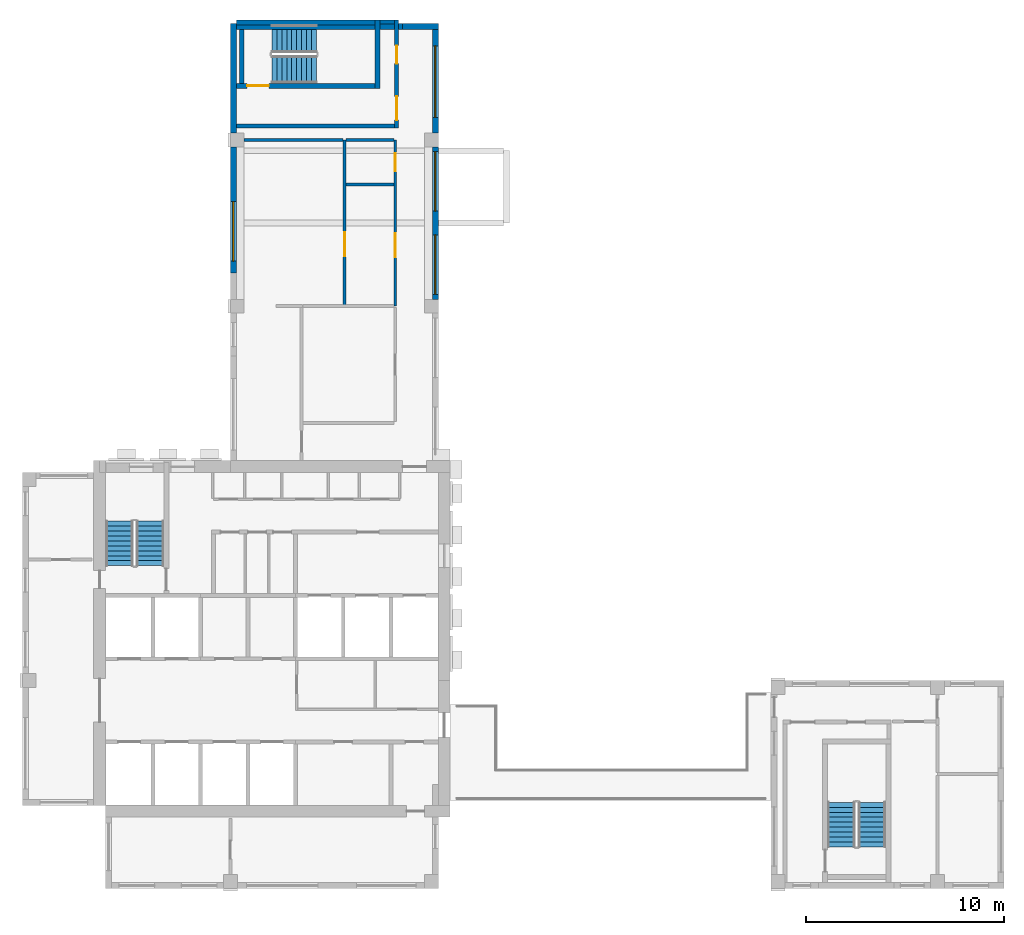
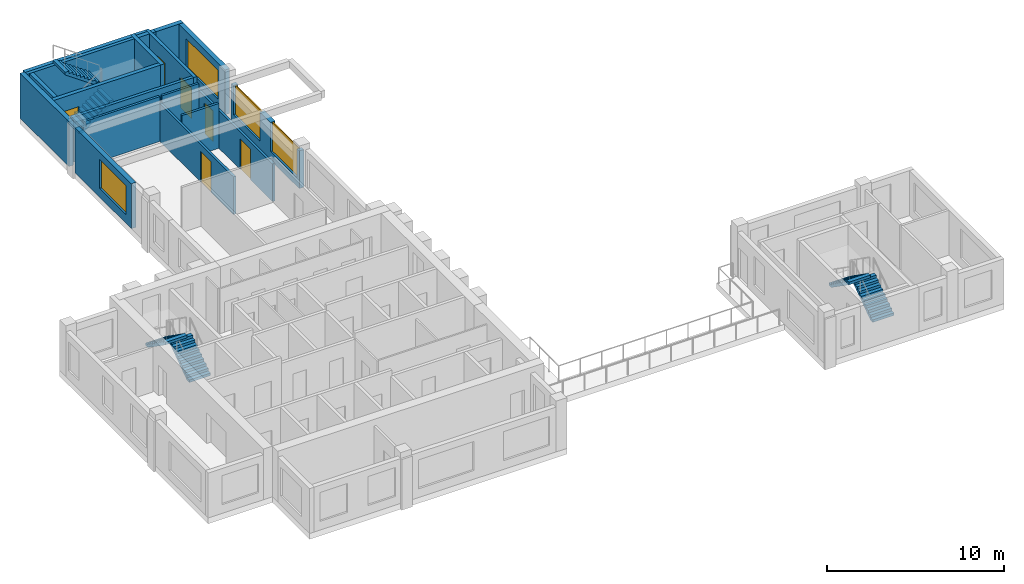
# One storey, part 5 of 9: 18 walls, 6 doors, 6 stair flights, 4 windows, 10 openings, 3 elements without a shape of their own.
"""IFC4 building model written with IfcOpenShell, lengths in metres."""

from ifc_helpers import new_model, si_unit, direction, frame, frame_2d, origin, place, context, subcontext, project, spatial, polyline, rectangle, outline, extrude, source, transform, mapped, material, layer, layer_set, type_object, element, fill, aggregate, save


model = new_model("IFC4")

# Units and contexts
model_context = context("Model", 3, precision=1e-05, world=origin(), true_north=direction((0.0, 1.0)))
body_context = subcontext(model_context, "Body", "Model", "MODEL_VIEW")
ifc_project = project(units=[si_unit("LENGTHUNIT", "METRE"), si_unit("AREAUNIT", "SQUARE_METRE"), si_unit("VOLUMEUNIT", "CUBIC_METRE"), si_unit("PLANEANGLEUNIT", "RADIAN"), si_unit("MASSUNIT", "GRAM", prefix="KILO")], contexts=[model_context])

# Site, building, storey
site_placement = place(None, origin())
site = spatial("IfcSite", under=ifc_project, at=site_placement, CompositionType="ELEMENT")
building_placement = place(site_placement, origin())
building = spatial("IfcBuilding", under=site, at=building_placement, Name="Aurelian Terraces", CompositionType="ELEMENT")
storey_placement = place(building_placement, frame((0.0, 0.0, 295.0)))
storey = spatial("IfcBuildingStorey", under=building, at=storey_placement, Name="L67", CompositionType="ELEMENT", Elevation=295.0)

# Wall
ifc_material_1 = material(Name="Gypsum board on steel studs", Category="steel")
ifc_layer_1 = layer(ifc_material_1, 0.15)
ifc_layer_set_1 = layer_set([ifc_layer_1], Name="Partition 150")
wall_type_1 = type_object("IfcWallType", Name="Partition 150", PredefinedType="PARTITIONING", material=ifc_layer_set_1)
wall_1_placement = place(storey_placement, frame((18.75, 35.5483, 0.0), z_axis=(0.0, 0.0, 1.0), x_axis=(-1.0, 0.0, 0.0)))
element("IfcWall", 1, at=wall_1_placement, inside=storey, type_object=wall_type_1, Name="Partition", PredefinedType="PARTITIONING", context=body_context, shape_type="SweptSolid", body=[
    extrude(rectangle(XDim=2.4, YDim=0.15, at=frame_2d((1.2, 0.0))), origin(), (0.0, 0.0, 1.0), 3.1),
])

# Wall, opening, window
ifc_material_2 = material(Name="Terracotta rainscreen cladding", Category="masonry")
ifc_layer_2 = layer(ifc_material_2, 0.3)
ifc_layer_set_2 = layer_set([ifc_layer_2], Name="EW-300")
wall_type_2 = type_object("IfcWallType", Name="EW-300", PredefinedType="STANDARD", material=ifc_layer_set_2)
shared_shape_1 = source(origin(), body_context, "Body", "SweptSolid", [
    extrude(rectangle(XDim=5.53, YDim=0.3, at=frame_2d((2.765, 0.0))), origin(), (0.0, 0.0, 1.0), 3.1),
])
wall_2_placement = place(storey_placement, frame((20.85, 38.15, 0.0), z_axis=(0.0, 0.0, 1.0), x_axis=(0.0, 1.0, 0.0)))
wall_2 = element("IfcWall", 2, at=wall_2_placement, inside=storey, type_object=wall_type_2, Name="External wall L67 F02.8", PredefinedType="STANDARD", context=body_context, shape_type="MappedRepresentation", body=[
    mapped(shared_shape_1, transform((0.0, 0.0, 0.0), scale=1.0)),
])
shared_shape_2 = source(origin(), body_context, "Body", "SweptSolid", [
    extrude(rectangle(XDim=3.6, YDim=2.0, at=frame_2d((1.8, 1.0))), frame((0.0, 0.16, 0.0), z_axis=(0.0, -1.0, 0.0), x_axis=(1.0, 0.0, 0.0)), (0.0, 0.0, 1.0), 0.32),
])
opening_1_placement = place(wall_2_placement, frame((0.79, 0.0, 0.6)))
opening_1 = element("IfcOpeningElement", 3, at=opening_1_placement, cuts=wall_2, Name="Opening W3620", PredefinedType="OPENING", context=body_context, shape_type="MappedRepresentation", body=[
    mapped(shared_shape_2, transform((0.0, 0.0, 0.0), scale=1.0)),
])
ifc_material_3 = material(Name="Clear glazing", Category="glass")
window_type_1 = type_object("IfcWindowType", Name="W-3600x2000", PartitioningType="SINGLE_PANEL", PredefinedType="WINDOW", material=ifc_material_3)
shared_shape_3 = source(origin(), body_context, "Body", "SweptSolid", [
    extrude(rectangle(XDim=3.6, YDim=2.0, at=frame_2d((1.8, 1.0))), frame((0.0, 0.03, 0.0), z_axis=(0.0, -1.0, 0.0), x_axis=(1.0, 0.0, 0.0)), (0.0, 0.0, 1.0), 0.06),
])
window_1_placement = place(opening_1_placement, origin())
window_1 = element("IfcWindow", 4, at=window_1_placement, inside=storey, type_object=window_type_1, Name="Window L67 L67-F02-08-0", OverallHeight=2.0, OverallWidth=3.6, PartitioningType="SINGLE_PANEL", PredefinedType="WINDOW", context=body_context, shape_type="MappedRepresentation", body=[
    mapped(shared_shape_3, transform((0.0, 0.0, 0.0), scale=1.0)),
])
fill(opening_1, window_1)

# Walls
shared_shape_4 = source(origin(), body_context, "Body", "SweptSolid", [
    extrude(rectangle(XDim=1.8, YDim=0.3, at=frame_2d((0.9, 0.0))), origin(), (0.0, 0.0, 1.0), 3.1),
])
wall_3_placement = place(storey_placement, frame((21.0, 43.53, 0.0), z_axis=(0.0, 0.0, 1.0), x_axis=(-1.0, 0.0, 0.0)))
element("IfcWall", 5, at=wall_3_placement, inside=storey, type_object=wall_type_2, Name="External wall L67 F03.9", PredefinedType="STANDARD", context=body_context, shape_type="MappedRepresentation", body=[
    mapped(shared_shape_4, transform((0.0, 0.0, 0.0), scale=1.0)),
])
ifc_material_4 = material(Name="Concrete fc' 40 MPa", Category="concrete")
ifc_layer_3 = layer(ifc_material_4, 0.3)
ifc_layer_set_3 = layer_set([ifc_layer_3], Name="STAIR BAY WALL 300")
wall_type_3 = type_object("IfcWallType", Name="STAIR BAY WALL 300", PredefinedType="SOLIDWALL", material=ifc_layer_set_3)
shared_shape_5 = source(origin(), body_context, "Body", "SweptSolid", [
    extrude(rectangle(XDim=8.6, YDim=0.3, at=frame_2d((4.3, 0.0))), origin(), (0.0, 0.0, 1.0), 3.1),
])
wall_4_placement = place(storey_placement, frame((19.2, 43.53, 0.0), z_axis=(0.0, 0.0, 1.0), x_axis=(-1.0, 0.0, 0.0)))
element("IfcWall", 6, at=wall_4_placement, inside=storey, type_object=wall_type_3, Name="Stair bay wall L67 F03.9", PredefinedType="SOLIDWALL", context=body_context, shape_type="MappedRepresentation", body=[
    mapped(shared_shape_5, transform((0.0, 0.0, 0.0), scale=1.0)),
])
shared_shape_6 = source(origin(), body_context, "Body", "SweptSolid", [
    extrude(rectangle(XDim=5.53, YDim=0.3, at=frame_2d((2.765, 0.0))), origin(), (0.0, 0.0, 1.0), 3.1),
])
wall_5_placement = place(storey_placement, frame((10.65, 43.68, 0.0), z_axis=(0.0, 0.0, 1.0), x_axis=(0.0, -1.0, 0.0)))
element("IfcWall", 7, at=wall_5_placement, inside=storey, type_object=wall_type_3, Name="Stair bay wall L67 F04.10", PredefinedType="SOLIDWALL", context=body_context, shape_type="MappedRepresentation", body=[
    mapped(shared_shape_6, transform((0.0, 0.0, 0.0), scale=1.0)),
])

# Wall, opening, window
shared_shape_7 = source(origin(), body_context, "Body", "SweptSolid", [
    extrude(rectangle(XDim=6.37, YDim=0.3, at=frame_2d((3.185, 0.0))), origin(), (0.0, 0.0, 1.0), 3.1),
])
wall_6_placement = place(storey_placement, frame((10.65, 37.45, 0.0), z_axis=(0.0, 0.0, 1.0), x_axis=(0.0, -1.0, 0.0)))
wall_6 = element("IfcWall", 8, at=wall_6_placement, inside=storey, type_object=wall_type_2, Name="External wall L67 F04.10", PredefinedType="STANDARD", context=body_context, shape_type="MappedRepresentation", body=[
    mapped(shared_shape_7, transform((0.0, 0.0, 0.0), scale=1.0)),
])
shared_shape_8 = source(origin(), body_context, "Body", "SweptSolid", [
    extrude(rectangle(XDim=3.0, YDim=2.0, at=frame_2d((1.5, 1.0))), frame((0.0, 0.16, 0.0), z_axis=(0.0, -1.0, 0.0), x_axis=(1.0, 0.0, 0.0)), (0.0, 0.0, 1.0), 0.32),
])
opening_2_placement = place(wall_6_placement, frame((2.77, 0.0, 0.6)))
opening_2 = element("IfcOpeningElement", 9, at=opening_2_placement, cuts=wall_6, Name="Opening W3020", PredefinedType="OPENING", context=body_context, shape_type="MappedRepresentation", body=[
    mapped(shared_shape_8, transform((0.0, 0.0, 0.0), scale=1.0)),
])
window_type_2 = type_object("IfcWindowType", Name="W-3000x2000", PartitioningType="SINGLE_PANEL", PredefinedType="WINDOW", material=ifc_material_3)
shared_shape_9 = source(origin(), body_context, "Body", "SweptSolid", [
    extrude(rectangle(XDim=3.0, YDim=2.0, at=frame_2d((1.5, 1.0))), frame((0.0, 0.03, 0.0), z_axis=(0.0, -1.0, 0.0), x_axis=(1.0, 0.0, 0.0)), (0.0, 0.0, 1.0), 0.06),
])
window_2_placement = place(opening_2_placement, origin())
window_2 = element("IfcWindow", 10, at=window_2_placement, inside=storey, type_object=window_type_2, Name="Window L67 L67-F04-10-2", OverallHeight=2.0, OverallWidth=3.0, PartitioningType="SINGLE_PANEL", PredefinedType="WINDOW", context=body_context, shape_type="MappedRepresentation", body=[
    mapped(shared_shape_9, transform((0.0, 0.0, 0.0), scale=1.0)),
])
fill(opening_2, window_2)

# Wall, openings, windows
shared_shape_10 = source(origin(), body_context, "Body", "SweptSolid", [
    extrude(rectangle(XDim=7.7, YDim=0.3, at=frame_2d((3.85, 0.0))), origin(), (0.0, 0.0, 1.0), 2.6),
])
wall_7_placement = place(storey_placement, frame((20.85, 29.75, 0.0), z_axis=(0.0, 0.0, 1.0), x_axis=(0.0, 1.0, 0.0)))
wall_7 = element("IfcWall", 11, at=wall_7_placement, inside=storey, type_object=wall_type_2, Name="External wall L67 F02.7", PredefinedType="STANDARD", context=body_context, shape_type="MappedRepresentation", body=[
    mapped(shared_shape_10, transform((0.0, 0.0, 0.0), scale=1.0)),
])
opening_3_placement = place(wall_7_placement, frame((0.25, 0.0, 0.6)))
opening_3 = element("IfcOpeningElement", 12, at=opening_3_placement, cuts=wall_7, Name="Opening W3020", PredefinedType="OPENING", context=body_context, shape_type="MappedRepresentation", body=[
    mapped(shared_shape_8, transform((0.0, 0.0, 0.0), scale=1.0)),
])
opening_4_placement = place(wall_7_placement, frame((4.45, 0.0, 0.6)))
opening_4 = element("IfcOpeningElement", 13, at=opening_4_placement, cuts=wall_7, Name="Opening W3020", PredefinedType="OPENING", context=body_context, shape_type="MappedRepresentation", body=[
    mapped(shared_shape_8, transform((0.0, 0.0, 0.0), scale=1.0)),
])
window_3_placement = place(opening_3_placement, origin())
window_3 = element("IfcWindow", 14, at=window_3_placement, inside=storey, type_object=window_type_2, Name="Window L67 L67-F02-07-0", OverallHeight=2.0, OverallWidth=3.0, PartitioningType="SINGLE_PANEL", PredefinedType="WINDOW", context=body_context, shape_type="MappedRepresentation", body=[
    mapped(shared_shape_9, transform((0.0, 0.0, 0.0), scale=1.0)),
])
fill(opening_3, window_3)
window_4_placement = place(opening_4_placement, origin())
window_4 = element("IfcWindow", 15, at=window_4_placement, inside=storey, type_object=window_type_2, Name="Window L67 L67-F02-07-1", OverallHeight=2.0, OverallWidth=3.0, PartitioningType="SINGLE_PANEL", PredefinedType="WINDOW", context=body_context, shape_type="MappedRepresentation", body=[
    mapped(shared_shape_9, transform((0.0, 0.0, 0.0), scale=1.0)),
])
fill(opening_4, window_4)

# Wall, opening, door
ifc_layer_4 = layer(ifc_material_4, 0.25)
ifc_layer_set_4 = layer_set([ifc_layer_4], Name="Stair enclosure wall 250")
wall_type_4 = type_object("IfcWallType", Name="Stair enclosure wall 250", PredefinedType="SOLIDWALL", material=ifc_layer_set_4)
shared_shape_11 = source(origin(), body_context, "Body", "SweptSolid", [
    extrude(rectangle(XDim=7.0, YDim=0.25, at=frame_2d((3.5, 0.0))), origin(), (0.0, 0.0, 1.0), 3.1),
])
wall_8_placement = place(storey_placement, frame((10.8, 40.525, 0.0), z_axis=(0.0, 0.0, 1.0), x_axis=(1.0, 0.0, 0.0)))
wall_8 = element("IfcWall", 16, at=wall_8_placement, inside=storey, type_object=wall_type_4, Name="L67 core wall ST-S3U-W", PredefinedType="SOLIDWALL", context=body_context, shape_type="MappedRepresentation", body=[
    mapped(shared_shape_11, transform((0.0, 0.0, 0.0), scale=1.0)),
])
shared_shape_12 = source(origin(), body_context, "Body", "SweptSolid", [
    extrude(rectangle(XDim=1.1, YDim=2.1, at=frame_2d((0.55, 1.05))), frame((0.0, 0.135, 0.0), z_axis=(0.0, -1.0, 0.0), x_axis=(1.0, 0.0, 0.0)), (0.0, 0.0, 1.0), 0.27),
])
opening_5_placement = place(wall_8_placement, frame((0.55, 0.0, 0.0)))
opening_5 = element("IfcOpeningElement", 17, at=opening_5_placement, cuts=wall_8, Name="Opening 67028", PredefinedType="OPENING", context=body_context, shape_type="MappedRepresentation", body=[
    mapped(shared_shape_12, transform((0.0, 0.0, 0.0), scale=1.0)),
])
ifc_material_5 = material(Name="Steel door leaf", Category="steel")
door_type_1 = type_object("IfcDoorType", Name="Core fire door 1100x2100", OperationType="SINGLE_SWING_LEFT", PredefinedType="DOOR", material=ifc_material_5)
shared_shape_13 = source(origin(), body_context, "Body", "SweptSolid", [
    extrude(rectangle(XDim=1.1, YDim=2.1, at=frame_2d((0.55, 1.05))), frame((0.0, 0.025, 0.0), z_axis=(0.0, -1.0, 0.0), x_axis=(1.0, 0.0, 0.0)), (0.0, 0.0, 1.0), 0.05),
])
door_1_placement = place(opening_5_placement, origin())
door_1 = element("IfcDoor", 18, at=door_1_placement, inside=storey, type_object=door_type_1, Name="Stair door 67028", OperationType="SINGLE_SWING_LEFT", OverallHeight=2.1, OverallWidth=1.1, PredefinedType="DOOR", context=body_context, shape_type="MappedRepresentation", body=[
    mapped(shared_shape_13, transform((0.0, 0.0, 0.0), scale=1.0)),
])
fill(opening_5, door_1)

# Walls
wall_9_placement = place(storey_placement, frame((10.8, 43.725, 0.0), z_axis=(0.0, 0.0, 1.0), x_axis=(1.0, 0.0, 0.0)))
element("IfcWall", 19, at=wall_9_placement, inside=storey, type_object=wall_type_4, Name="L67 core wall ST-S3U-E", PredefinedType="SOLIDWALL", context=body_context, shape_type="MappedRepresentation", body=[
    mapped(shared_shape_11, transform((0.0, 0.0, 0.0), scale=1.0)),
])
shared_shape_14 = source(origin(), body_context, "Body", "SweptSolid", [
    extrude(rectangle(XDim=3.45, YDim=0.25, at=frame_2d((1.725, 0.0))), origin(), (0.0, 0.0, 1.0), 3.1),
])
wall_10_placement = place(storey_placement, frame((17.925, 40.4, 0.0), z_axis=(0.0, 0.0, 1.0), x_axis=(0.0, 1.0, 0.0)))
element("IfcWall", 20, at=wall_10_placement, inside=storey, type_object=wall_type_4, Name="L67 core wall ST-S3U-N", PredefinedType="SOLIDWALL", context=body_context, shape_type="MappedRepresentation", body=[
    mapped(shared_shape_14, transform((0.0, 0.0, 0.0), scale=1.0)),
])
ifc_layer_5 = layer(ifc_material_1, 0.2)
ifc_layer_set_5 = layer_set([ifc_layer_5], Name="Core partition 200")
wall_type_5 = type_object("IfcWallType", Name="Core partition 200", PredefinedType="PARTITIONING", material=ifc_layer_set_5)
shared_shape_15 = source(origin(), body_context, "Body", "SweptSolid", [
    extrude(rectangle(XDim=8.0, YDim=0.2, at=frame_2d((4.0, 0.0))), origin(), (0.0, 0.0, 1.0), 3.1),
])
wall_11_placement = place(storey_placement, frame((10.8, 38.5, 0.0), z_axis=(0.0, 0.0, 1.0), x_axis=(1.0, 0.0, 0.0)))
element("IfcWall", 21, at=wall_11_placement, inside=storey, type_object=wall_type_5, Name="L67 core wall ST-S3U-VW", PredefinedType="PARTITIONING", context=body_context, shape_type="MappedRepresentation", body=[
    mapped(shared_shape_15, transform((0.0, 0.0, 0.0), scale=1.0)),
])

# Wall, openings, doors
shared_shape_16 = source(origin(), body_context, "Body", "SweptSolid", [
    extrude(rectangle(XDim=5.45, YDim=0.2, at=frame_2d((2.725, 0.0))), origin(), (0.0, 0.0, 1.0), 3.1),
])
wall_12_placement = place(storey_placement, frame((18.9, 38.4, 0.0), z_axis=(0.0, 0.0, 1.0), x_axis=(0.0, 1.0, 0.0)))
wall_12 = element("IfcWall", 22, at=wall_12_placement, inside=storey, type_object=wall_type_5, Name="L67 core wall ST-S3U-BN", PredefinedType="PARTITIONING", context=body_context, shape_type="MappedRepresentation", body=[
    mapped(shared_shape_16, transform((0.0, 0.0, 0.0), scale=1.0)),
])
shared_shape_17 = source(origin(), body_context, "Body", "SweptSolid", [
    extrude(rectangle(XDim=1.2, YDim=2.1, at=frame_2d((0.6, 1.05))), frame((0.0, 0.11, 0.0), z_axis=(0.0, -1.0, 0.0), x_axis=(1.0, 0.0, 0.0)), (0.0, 0.0, 1.0), 0.22),
])
opening_6_placement = place(wall_12_placement, frame((0.4, 0.0, 0.0)))
opening_6 = element("IfcOpeningElement", 23, at=opening_6_placement, cuts=wall_12, Name="Opening 67029", PredefinedType="OPENING", context=body_context, shape_type="MappedRepresentation", body=[
    mapped(shared_shape_17, transform((0.0, 0.0, 0.0), scale=1.0)),
])
shared_shape_18 = source(origin(), body_context, "Body", "SweptSolid", [
    extrude(rectangle(XDim=0.9, YDim=2.1, at=frame_2d((0.45, 1.05))), frame((0.0, 0.11, 0.0), z_axis=(0.0, -1.0, 0.0), x_axis=(1.0, 0.0, 0.0)), (0.0, 0.0, 1.0), 0.22),
])
opening_7_placement = place(wall_12_placement, frame((3.25, 0.0, 0.0)))
opening_7 = element("IfcOpeningElement", 24, at=opening_7_placement, cuts=wall_12, Name="Opening 67030", PredefinedType="OPENING", context=body_context, shape_type="MappedRepresentation", body=[
    mapped(shared_shape_18, transform((0.0, 0.0, 0.0), scale=1.0)),
])
door_type_2 = type_object("IfcDoorType", Name="Core riser door 900x2100", OperationType="SINGLE_SWING_LEFT", PredefinedType="DOOR", material=ifc_material_5)
shared_shape_19 = source(origin(), body_context, "Body", "SweptSolid", [
    extrude(rectangle(XDim=0.9, YDim=2.1, at=frame_2d((0.45, 1.05))), frame((0.0, 0.025, 0.0), z_axis=(0.0, -1.0, 0.0), x_axis=(1.0, 0.0, 0.0)), (0.0, 0.0, 1.0), 0.05),
])
door_2_placement = place(opening_7_placement, origin())
door_2 = element("IfcDoor", 25, at=door_2_placement, inside=storey, type_object=door_type_2, Name="Riser door 67030", OperationType="SINGLE_SWING_LEFT", OverallHeight=2.1, OverallWidth=0.9, PredefinedType="DOOR", context=body_context, shape_type="MappedRepresentation", body=[
    mapped(shared_shape_19, transform((0.0, 0.0, 0.0), scale=1.0)),
])
fill(opening_7, door_2)
door_type_3 = type_object("IfcDoorType", Name="Core fire door 1200x2100 right", OperationType="SINGLE_SWING_RIGHT", PredefinedType="DOOR", material=ifc_material_5)
shared_shape_20 = source(origin(), body_context, "Body", "SweptSolid", [
    extrude(rectangle(XDim=1.2, YDim=2.1, at=frame_2d((0.6, 1.05))), frame((0.0, 0.025, 0.0), z_axis=(0.0, -1.0, 0.0), x_axis=(1.0, 0.0, 0.0)), (0.0, 0.0, 1.0), 0.05),
])
door_3_placement = place(opening_6_placement, origin())
door_3 = element("IfcDoor", 26, at=door_3_placement, inside=storey, type_object=door_type_3, Name="Vestibule door 67029", OperationType="SINGLE_SWING_RIGHT", OverallHeight=2.1, OverallWidth=1.2, PredefinedType="DOOR", context=body_context, shape_type="MappedRepresentation", body=[
    mapped(shared_shape_20, transform((0.0, 0.0, 0.0), scale=1.0)),
])
fill(opening_6, door_3)

# Walls
shared_shape_21 = source(origin(), body_context, "Body", "SweptSolid", [
    extrude(rectangle(XDim=0.75, YDim=0.2, at=frame_2d((0.375, 0.0))), origin(), (0.0, 0.0, 1.0), 3.1),
])
wall_13_placement = place(storey_placement, frame((18.05, 43.75, 0.0), z_axis=(0.0, 0.0, 1.0), x_axis=(1.0, 0.0, 0.0)))
element("IfcWall", 27, at=wall_13_placement, inside=storey, type_object=wall_type_5, Name="L67 core wall ST-S3U-RE", PredefinedType="PARTITIONING", context=body_context, shape_type="MappedRepresentation", body=[
    mapped(shared_shape_21, transform((0.0, 0.0, 0.0), scale=1.0)),
])
shared_shape_22 = source(origin(), body_context, "Body", "SweptSolid", [
    extrude(rectangle(XDim=2.73, YDim=0.25, at=frame_2d((1.365, 0.0))), origin(), (0.0, 0.0, 1.0), 3.1),
])
wall_14_placement = place(storey_placement, frame((11.075, 40.65, 0.0), z_axis=(0.0, 0.0, 1.0), x_axis=(0.0, 1.0, 0.0)))
element("IfcWall", 28, at=wall_14_placement, inside=storey, type_object=wall_type_4, Name="L67 core wall ST-S3U-SS", PredefinedType="SOLIDWALL", context=body_context, shape_type="MappedRepresentation", body=[
    mapped(shared_shape_22, transform((0.0, 0.0, 0.0), scale=1.0)),
])

# Wall, opening, door
shared_shape_23 = source(origin(), body_context, "Body", "SweptSolid", [
    extrude(rectangle(XDim=8.4, YDim=0.15, at=frame_2d((4.2, 0.0))), origin(), (0.0, 0.0, 1.0), 2.6),
])
wall_15_placement = place(storey_placement, frame((16.275, 29.4, 0.0), z_axis=(0.0, 0.0, 1.0), x_axis=(0.0, 1.0, 0.0)))
wall_15 = element("IfcWall", 29, at=wall_15_placement, inside=storey, type_object=wall_type_1, Name="Partition", PredefinedType="PARTITIONING", context=body_context, shape_type="MappedRepresentation", body=[
    mapped(shared_shape_23, transform((0.0, 0.0, 0.0), scale=1.0)),
])
shared_shape_24 = source(origin(), body_context, "Body", "SweptSolid", [
    extrude(rectangle(XDim=1.2, YDim=2.1, at=frame_2d((0.6, 1.05))), frame((0.0, 0.085, 0.0), z_axis=(0.0, -1.0, 0.0), x_axis=(1.0, 0.0, 0.0)), (0.0, 0.0, 1.0), 0.17),
])
opening_8_placement = place(wall_15_placement, frame((2.5242, 0.0, 0.0)))
opening_8 = element("IfcOpeningElement", 30, at=opening_8_placement, cuts=wall_15, Name="Opening 767007", PredefinedType="OPENING", context=body_context, shape_type="MappedRepresentation", body=[
    mapped(shared_shape_24, transform((0.0, 0.0, 0.0), scale=1.0)),
])
ifc_material_6 = material(Name="Timber door leaf", Category="wood")
door_type_4 = type_object("IfcDoorType", Name="Room door 1200x2100 left", OperationType="SINGLE_SWING_LEFT", PredefinedType="DOOR", material=ifc_material_6)
door_4_placement = place(opening_8_placement, origin())
door_4 = element("IfcDoor", 31, at=door_4_placement, inside=storey, type_object=door_type_4, Name="Door 767007", OperationType="SINGLE_SWING_LEFT", OverallHeight=2.1, OverallWidth=1.2, PredefinedType="DOOR", context=body_context, shape_type="MappedRepresentation", body=[
    mapped(shared_shape_20, transform((0.0, 0.0, 0.0), scale=1.0)),
])
fill(opening_8, door_4)

# Wall, openings, doors
ifc_layer_6 = layer(ifc_material_1, 0.15)
ifc_layer_set_6 = layer_set([ifc_layer_6], Name="Fire partition 150")
wall_type_6 = type_object("IfcWallType", Name="Fire partition 150", PredefinedType="PARTITIONING", material=ifc_layer_set_6)
wall_16_placement = place(storey_placement, frame((18.825, 29.4, 0.0), z_axis=(0.0, 0.0, 1.0), x_axis=(0.0, 1.0, 0.0)))
wall_16 = element("IfcWall", 32, at=wall_16_placement, inside=storey, type_object=wall_type_6, Name="Corridor wall", PredefinedType="PARTITIONING", context=body_context, shape_type="MappedRepresentation", body=[
    mapped(shared_shape_23, transform((0.0, 0.0, 0.0), scale=1.0)),
])
opening_9_placement = place(wall_16_placement, frame((2.4742, 0.0, 0.0)))
opening_9 = element("IfcOpeningElement", 33, at=opening_9_placement, cuts=wall_16, Name="Opening 767006", PredefinedType="OPENING", context=body_context, shape_type="MappedRepresentation", body=[
    mapped(shared_shape_24, transform((0.0, 0.0, 0.0), scale=1.0)),
])
shared_shape_25 = source(origin(), body_context, "Body", "SweptSolid", [
    extrude(rectangle(XDim=0.9, YDim=2.1, at=frame_2d((0.45, 1.05))), frame((0.0, 0.085, 0.0), z_axis=(0.0, -1.0, 0.0), x_axis=(1.0, 0.0, 0.0)), (0.0, 0.0, 1.0), 0.17),
])
opening_10_placement = place(wall_16_placement, frame((6.8242, 0.0, 0.0)))
opening_10 = element("IfcOpeningElement", 34, at=opening_10_placement, cuts=wall_16, Name="Opening 767008", PredefinedType="OPENING", context=body_context, shape_type="MappedRepresentation", body=[
    mapped(shared_shape_25, transform((0.0, 0.0, 0.0), scale=1.0)),
])
door_type_5 = type_object("IfcDoorType", Name="Entrance fire door 900x2100 right", OperationType="SINGLE_SWING_RIGHT", PredefinedType="DOOR", material=ifc_material_5)
door_5_placement = place(opening_10_placement, origin())
door_5 = element("IfcDoor", 35, at=door_5_placement, inside=storey, type_object=door_type_5, Name="Door 767008", OperationType="SINGLE_SWING_RIGHT", OverallHeight=2.1, OverallWidth=0.9, PredefinedType="DOOR", context=body_context, shape_type="MappedRepresentation", body=[
    mapped(shared_shape_19, transform((0.0, 0.0, 0.0), scale=1.0)),
])
fill(opening_10, door_5)
door_type_6 = type_object("IfcDoorType", Name="Entrance fire door 1200x2100 right", OperationType="SINGLE_SWING_RIGHT", PredefinedType="DOOR", material=ifc_material_5)
door_6_placement = place(opening_9_placement, origin())
door_6 = element("IfcDoor", 36, at=door_6_placement, inside=storey, type_object=door_type_6, Name="Door 767006", OperationType="SINGLE_SWING_RIGHT", OverallHeight=2.1, OverallWidth=1.2, PredefinedType="DOOR", context=body_context, shape_type="MappedRepresentation", body=[
    mapped(shared_shape_20, transform((0.0, 0.0, 0.0), scale=1.0)),
])
fill(opening_9, door_6)

# Walls
shared_shape_26 = source(origin(), body_context, "Body", "SweptSolid", [
    extrude(rectangle(XDim=5.001, YDim=0.15, at=frame_2d((2.5005, 0.0))), origin(), (0.0, 0.0, 1.0), 3.1),
])
wall_17_placement = place(storey_placement, frame((16.2, 37.8, 0.0), z_axis=(0.0, 0.0, 1.0), x_axis=(-1.0, 0.0, 0.0)))
element("IfcWall", 37, at=wall_17_placement, inside=storey, type_object=wall_type_6, Name="Party wall", PredefinedType="PARTITIONING", context=body_context, shape_type="MappedRepresentation", body=[
    mapped(shared_shape_26, transform((0.0, 0.0, 0.0), scale=1.0)),
])
shared_shape_27 = source(origin(), body_context, "Body", "SweptSolid", [
    extrude(rectangle(XDim=2.4, YDim=0.15, at=frame_2d((1.2, 0.0))), origin(), (0.0, 0.0, 1.0), 3.1),
])
wall_18_placement = place(storey_placement, frame((18.75, 37.8, 0.0), z_axis=(0.0, 0.0, 1.0), x_axis=(-1.0, 0.0, 0.0)))
element("IfcWall", 38, at=wall_18_placement, inside=storey, type_object=wall_type_6, Name="Party wall", PredefinedType="PARTITIONING", context=body_context, shape_type="MappedRepresentation", body=[
    mapped(shared_shape_27, transform((0.0, 0.0, 0.0), scale=1.0)),
])

# Stair, stair flights
stair_type = type_object("IfcStairType", Name="Stair 1400", PredefinedType="HALF_TURN_STAIR", material=ifc_material_4)
stair_1_placement = place(storey_placement, origin())
stair_1 = element("IfcStair", 39, at=stair_1_placement, inside=storey, type_object=stair_type, Name="L67 S1", PredefinedType="HALF_TURN_STAIR")
stair_flight_type = type_object("IfcStairFlightType", Name="Stair flight 1400", PredefinedType="STRAIGHT", material=ifc_material_4)
shared_shape_28 = source(origin(), body_context, "Body", "SweptSolid", [
    extrude(outline(polyline([(0.0, 0.0), (0.0, 0.175), (0.25, 0.175), (0.25, 0.35), (0.5, 0.35), (0.5, 0.525), (0.75, 0.525), (0.75, 0.7), (1.0, 0.7), (1.0, 0.875), (1.25, 0.875), (1.25, 1.05), (1.5, 1.05), (1.5, 1.225), (1.75, 1.225), (1.75, 1.4), (2.0, 1.4), (2.0, 1.575), (2.25, 1.575), (2.25, 1.75), (2.25, 1.3919), (0.2616, 0.0), (0.0, 0.0)])), frame((0.0, 0.7, 0.0), z_axis=(0.0, -1.0, 0.0), x_axis=(1.0, 0.0, 0.0)), (0.0, 0.0, 1.0), 1.4),
])
stair_flight_1_placement = place(storey_placement, frame((6.45, 16.3, 2e-08), z_axis=(0.0, 0.0, 1.0), x_axis=(0.0, 1.0, 0.0)))
stair_flight_1 = element("IfcStairFlight", 40, at=stair_flight_1_placement, type_object=stair_flight_type, Name="S1 flight 1", NumberOfRisers=10, NumberOfTreads=9, PredefinedType="STRAIGHT", RiserHeight=0.175, TreadLength=0.25, context=body_context, shape_type="MappedRepresentation", body=[
    mapped(shared_shape_28, transform((0.0, 0.0, 0.0), scale=1.0)),
])
stair_flight_2_placement = place(storey_placement, frame((4.9, 18.55, 1.75000002), z_axis=(0.0, 0.0, 1.0), x_axis=(0.0, -1.0, 0.0)))
stair_flight_2 = element("IfcStairFlight", 41, at=stair_flight_2_placement, type_object=stair_flight_type, Name="S1 flight 2", NumberOfRisers=10, NumberOfTreads=9, PredefinedType="STRAIGHT", RiserHeight=0.175, TreadLength=0.25, context=body_context, shape_type="MappedRepresentation", body=[
    mapped(shared_shape_28, transform((0.0, 0.0, 0.0), scale=1.0)),
])
aggregate(stair_1, [stair_flight_1, stair_flight_2])

stair_2_placement = place(storey_placement, origin())
stair_2 = element("IfcStair", 42, at=stair_2_placement, inside=storey, type_object=stair_type, Name="L67 S2", PredefinedType="HALF_TURN_STAIR")
stair_flight_3_placement = place(storey_placement, frame((42.9, 2.1, 2e-08), z_axis=(0.0, 0.0, 1.0), x_axis=(0.0, 1.0, 0.0)))
stair_flight_3 = element("IfcStairFlight", 43, at=stair_flight_3_placement, type_object=stair_flight_type, Name="S2 flight 1", NumberOfRisers=10, NumberOfTreads=9, PredefinedType="STRAIGHT", RiserHeight=0.175, TreadLength=0.25, context=body_context, shape_type="MappedRepresentation", body=[
    mapped(shared_shape_28, transform((0.0, 0.0, 0.0), scale=1.0)),
])
stair_flight_4_placement = place(storey_placement, frame((41.35, 4.35, 1.75000002), z_axis=(0.0, 0.0, 1.0), x_axis=(0.0, -1.0, 0.0)))
stair_flight_4 = element("IfcStairFlight", 44, at=stair_flight_4_placement, type_object=stair_flight_type, Name="S2 flight 2", NumberOfRisers=10, NumberOfTreads=9, PredefinedType="STRAIGHT", RiserHeight=0.175, TreadLength=0.25, context=body_context, shape_type="MappedRepresentation", body=[
    mapped(shared_shape_28, transform((0.0, 0.0, 0.0), scale=1.0)),
])
aggregate(stair_2, [stair_flight_3, stair_flight_4])

stair_3_placement = place(storey_placement, origin())
stair_3 = element("IfcStair", 45, at=stair_3_placement, inside=storey, type_object=stair_type, Name="L67 S3U", PredefinedType="HALF_TURN_STAIR")
stair_flight_5_placement = place(storey_placement, frame((12.6, 41.35, 2e-08), z_axis=(0.0, 0.0, 1.0), x_axis=(1.0, 0.0, 0.0)))
stair_flight_5 = element("IfcStairFlight", 46, at=stair_flight_5_placement, type_object=stair_flight_type, Name="S3U flight 1", NumberOfRisers=10, NumberOfTreads=9, PredefinedType="STRAIGHT", RiserHeight=0.175, TreadLength=0.25, context=body_context, shape_type="MappedRepresentation", body=[
    mapped(shared_shape_28, transform((0.0, 0.0, 0.0), scale=1.0)),
])
stair_flight_6_placement = place(storey_placement, frame((14.85, 42.9, 1.75000002), z_axis=(0.0, 0.0, 1.0), x_axis=(-1.0, 0.0, 0.0)))
stair_flight_6 = element("IfcStairFlight", 47, at=stair_flight_6_placement, type_object=stair_flight_type, Name="S3U flight 2", NumberOfRisers=10, NumberOfTreads=9, PredefinedType="STRAIGHT", RiserHeight=0.175, TreadLength=0.25, context=body_context, shape_type="MappedRepresentation", body=[
    mapped(shared_shape_28, transform((0.0, 0.0, 0.0), scale=1.0)),
])
aggregate(stair_3, [stair_flight_5, stair_flight_6])

save(model, "model.ifc")
